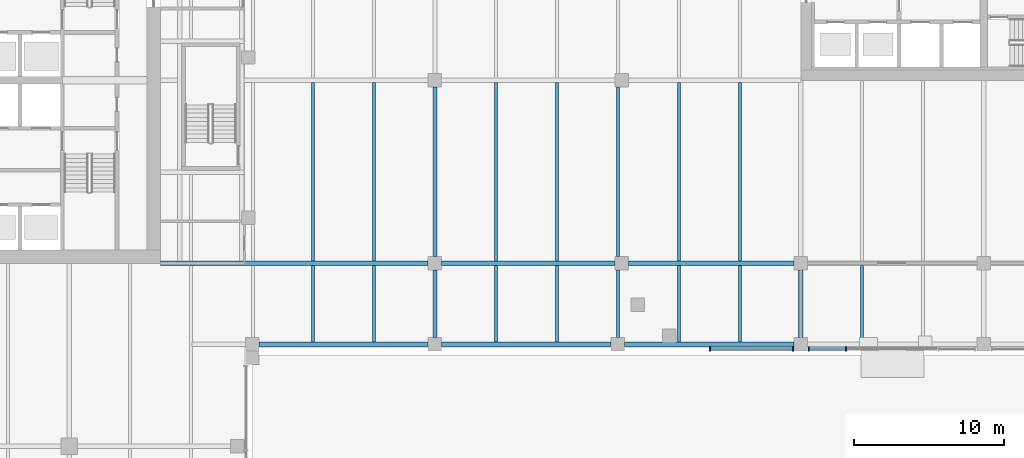
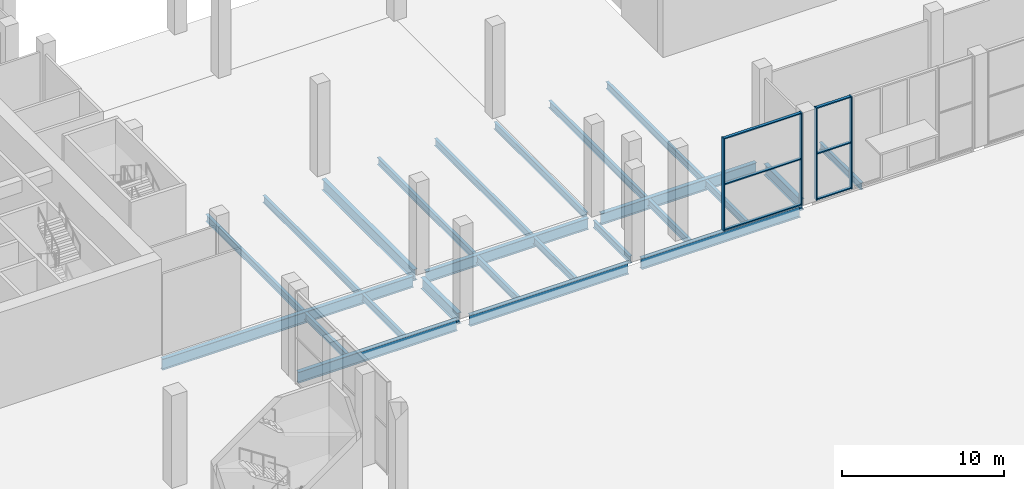
# One storey, part 5 of 36: 24 beams, 10 members, 2 elements without a shape of their own.
"""IFC4 building model written with IfcOpenShell, lengths in metres."""

from ifc_helpers import new_model, si_unit, direction, frame, origin, origin_2d, place, context, subcontext, project, spatial, rectangle, i_section, extrude, material, material_profile, profile_set, type_object, element, aggregate, save


model = new_model("IFC4")

# Units and contexts
model_context = context("Model", 3, precision=1e-05, world=origin(), true_north=direction((0.0, 1.0)))
body_context = subcontext(model_context, "Body", "Model", "MODEL_VIEW")
ifc_project = project(units=[si_unit("LENGTHUNIT", "METRE"), si_unit("AREAUNIT", "SQUARE_METRE"), si_unit("VOLUMEUNIT", "CUBIC_METRE"), si_unit("PLANEANGLEUNIT", "RADIAN"), si_unit("MASSUNIT", "GRAM", prefix="KILO")], contexts=[model_context])

# Site, building, storey
site_placement = place(None, origin())
site = spatial("IfcSite", under=ifc_project, at=site_placement, CompositionType="ELEMENT")
building_placement = place(site_placement, origin())
building = spatial("IfcBuilding", under=site, at=building_placement, Name="Tessera Gate Towers", CompositionType="ELEMENT")
storey_placement = place(building_placement, origin())
storey = spatial("IfcBuildingStorey", under=building, at=storey_placement, Name="L00", CompositionType="ELEMENT", Elevation=0.0)

# Beams
ifc_material_1 = material(Name="Steel 350W", Category="steel")
ifc_material_profile_1 = material_profile(ifc_material_1, i_section(OverallWidth=0.2919921875, OverallDepth=0.8349609375, WebThickness=0.013916015625, FlangeThickness=0.018798828125, at=origin_2d()), Name="W840x176")
ifc_profile_set_1 = profile_set([ifc_material_profile_1], Name="Steel 350W")
beam_type_1 = type_object("IfcBeamType", Name="FLOOR GIRDER W840x176", PredefinedType="BEAM", material=ifc_profile_set_1)
for number, where, z_axis, x_axis, name in (
    (1, (61.449951171875, 19.0, -0.66748046875), (1.0, 0.0, 0.0), (0.0, 1.0, 0.0), "PD-GD-L00-2"),
    (2, (73.64990234375, 19.0, -0.66748046875), (1.0, 0.0, 0.0), (0.0, 1.0, 0.0), "PD-GD-L00-3"),
):
    element("IfcBeam", number, at=place(storey_placement, frame(where, z_axis=z_axis, x_axis=x_axis)), inside=storey, type_object=beam_type_1, Name=name, PredefinedType="BEAM", context=body_context, shape_type="SweptSolid", body=[
        extrude(i_section(OverallWidth=0.2919921875, OverallDepth=0.8349609375, WebThickness=0.013916015625, FlangeThickness=0.018798828125, at=origin_2d()), origin(), (0.0, 0.0, 1.0), 11.300048828125),
    ])
beam_1_placement = place(storey_placement, frame((85.85009765625, 19.0, -0.66748046875), z_axis=(1.0, 0.0, 0.0), x_axis=(0.0, 1.0, 0.0)))
element("IfcBeam", 3, at=beam_1_placement, inside=storey, type_object=beam_type_1, Name="PD-GD-L00-4", PredefinedType="BEAM", context=body_context, shape_type="SweptSolid", body=[
    extrude(i_section(OverallWidth=0.2919921875, OverallDepth=0.8349609375, WebThickness=0.013916015625, FlangeThickness=0.018798828125, at=origin_2d()), origin(), (0.0, 0.0, 1.0), 11.2998046875),
])
beam_2_placement = place(storey_placement, frame((54.90087890625, 24.39990234375, -0.66748046875), z_axis=(1.0, 0.0, 0.0), x_axis=(0.0, 1.0, 0.0)))
element("IfcBeam", 4, at=beam_2_placement, inside=storey, type_object=beam_type_1, Name="PD-GD-L00-17", PredefinedType="BEAM", context=body_context, shape_type="SweptSolid", body=[
    extrude(i_section(OverallWidth=0.2919921875, OverallDepth=0.8349609375, WebThickness=0.013916015625, FlangeThickness=0.018798828125, at=origin_2d()), origin(), (0.0, 0.0, 1.0), 17.84912109375),
])
beam_3_placement = place(storey_placement, frame((73.64990234375, 24.39990234375, -0.66748046875), z_axis=(1.0, 0.0, 0.0), x_axis=(0.0, 1.0, 0.0)))
element("IfcBeam", 5, at=beam_3_placement, inside=storey, type_object=beam_type_1, Name="PD-GD-L00-18", PredefinedType="BEAM", context=body_context, shape_type="SweptSolid", body=[
    extrude(i_section(OverallWidth=0.2919921875, OverallDepth=0.8349609375, WebThickness=0.013916015625, FlangeThickness=0.018798828125, at=origin_2d()), origin(), (0.0, 0.0, 1.0), 11.550048828125),
])
beam_4_placement = place(storey_placement, frame((86.10009765625, 24.39990234375, -0.66748046875), z_axis=(1.0, 0.0, 0.0), x_axis=(0.0, 1.0, 0.0)))
element("IfcBeam", 6, at=beam_4_placement, inside=storey, type_object=beam_type_1, Name="PD-GD-L00-19", PredefinedType="BEAM", context=body_context, shape_type="SweptSolid", body=[
    extrude(i_section(OverallWidth=0.2919921875, OverallDepth=0.8349609375, WebThickness=0.013916015625, FlangeThickness=0.018798828125, at=origin_2d()), origin(), (0.0, 0.0, 1.0), 11.0498046875),
])
beam_5_placement = place(storey_placement, frame((73.199951171875, 19.449951171875, -0.66748046875), z_axis=(0.0, 1.0, 0.0), x_axis=(-1.0, 0.0, 0.0)))
element("IfcBeam", 7, at=beam_5_placement, inside=storey, type_object=beam_type_1, Name="PD-GD-L00-61", PredefinedType="BEAM", context=body_context, shape_type="SweptSolid", body=[
    extrude(i_section(OverallWidth=0.2919921875, OverallDepth=0.8349609375, WebThickness=0.013916015625, FlangeThickness=0.018798828125, at=origin_2d()), origin(), (0.0, 0.0, 1.0), 4.5),
])
beam_6_placement = place(storey_placement, frame((73.199951171875, 24.85009765625, -0.66748046875), z_axis=(0.0, 1.0, 0.0), x_axis=(-1.0, 0.0, 0.0)))
element("IfcBeam", 8, at=beam_6_placement, inside=storey, type_object=beam_type_1, Name="PD-GD-L00-62", PredefinedType="BEAM", context=body_context, shape_type="SweptSolid", body=[
    extrude(i_section(OverallWidth=0.2919921875, OverallDepth=0.8349609375, WebThickness=0.013916015625, FlangeThickness=0.018798828125, at=origin_2d()), origin(), (0.0, 0.0, 1.0), 11.2998046875),
])
beam_7_placement = place(storey_placement, frame((97.60009765625, 19.449951171875, -0.66748046875), z_axis=(0.0, 1.0, 0.0), x_axis=(-1.0, 0.0, 0.0)))
element("IfcBeam", 9, at=beam_7_placement, inside=storey, type_object=beam_type_1, Name="PD-GD-L00-65", PredefinedType="BEAM", context=body_context, shape_type="SweptSolid", body=[
    extrude(i_section(OverallWidth=0.2919921875, OverallDepth=0.8349609375, WebThickness=0.013916015625, FlangeThickness=0.018798828125, at=origin_2d()), origin(), (0.0, 0.0, 1.0), 4.5),
])
ifc_material_2 = material(Name="Steel 350W", Category="steel")
ifc_material_profile_2 = material_profile(ifc_material_2, i_section(OverallWidth=0.208984375, OverallDepth=0.528076171875, WebThickness=0.009521484375, FlangeThickness=0.01318359375, at=origin_2d()), Name="W530x82")
ifc_profile_set_2 = profile_set([ifc_material_profile_2], Name="Steel 350W")
beam_type_2 = type_object("IfcBeamType", Name="FLOOR SECONDARY W530x82", PredefinedType="BEAM", material=ifc_profile_set_2)
beam_8_placement = place(storey_placement, frame((65.066650390625, 19.14599609375, -0.513916015625), z_axis=(0.0, 1.0, 0.0), x_axis=(-1.0, 0.0, 0.0)))
element("IfcBeam", 10, at=beam_8_placement, inside=storey, type_object=beam_type_2, Name="PD-BM-L00-132", PredefinedType="BEAM", context=body_context, shape_type="SweptSolid", body=[
    extrude(i_section(OverallWidth=0.208984375, OverallDepth=0.528076171875, WebThickness=0.009521484375, FlangeThickness=0.01318359375, at=origin_2d()), origin(), (0.0, 0.0, 1.0), 5.10791015625),
])
beam_9_placement = place(storey_placement, frame((65.066650390625, 24.5458984375, -0.513916015625), z_axis=(0.0, 1.0, 0.0), x_axis=(-1.0, 0.0, 0.0)))
element("IfcBeam", 11, at=beam_9_placement, inside=storey, type_object=beam_type_2, Name="PD-BM-L00-133", PredefinedType="BEAM", context=body_context, shape_type="SweptSolid", body=[
    extrude(i_section(OverallWidth=0.208984375, OverallDepth=0.528076171875, WebThickness=0.009521484375, FlangeThickness=0.01318359375, at=origin_2d()), origin(), (0.0, 0.0, 1.0), 11.908203125),
])
beam_10_placement = place(storey_placement, frame((69.13330078125, 19.14599609375, -0.513916015625), z_axis=(0.0, 1.0, 0.0), x_axis=(-1.0, 0.0, 0.0)))
element("IfcBeam", 12, at=beam_10_placement, inside=storey, type_object=beam_type_2, Name="PD-BM-L00-136", PredefinedType="BEAM", context=body_context, shape_type="SweptSolid", body=[
    extrude(i_section(OverallWidth=0.208984375, OverallDepth=0.528076171875, WebThickness=0.009521484375, FlangeThickness=0.01318359375, at=origin_2d()), origin(), (0.0, 0.0, 1.0), 5.10791015625),
])
beam_11_placement = place(storey_placement, frame((69.13330078125, 24.5458984375, -0.513916015625), z_axis=(0.0, 1.0, 0.0), x_axis=(-1.0, 0.0, 0.0)))
element("IfcBeam", 13, at=beam_11_placement, inside=storey, type_object=beam_type_2, Name="PD-BM-L00-137", PredefinedType="BEAM", context=body_context, shape_type="SweptSolid", body=[
    extrude(i_section(OverallWidth=0.208984375, OverallDepth=0.528076171875, WebThickness=0.009521484375, FlangeThickness=0.01318359375, at=origin_2d()), origin(), (0.0, 0.0, 1.0), 11.908203125),
])
beam_12_placement = place(storey_placement, frame((77.2666015625, 19.14599609375, -0.513916015625), z_axis=(0.0, 1.0, 0.0), x_axis=(-1.0, 0.0, 0.0)))
element("IfcBeam", 14, at=beam_12_placement, inside=storey, type_object=beam_type_2, Name="PD-BM-L00-140", PredefinedType="BEAM", context=body_context, shape_type="SweptSolid", body=[
    extrude(i_section(OverallWidth=0.208984375, OverallDepth=0.528076171875, WebThickness=0.009521484375, FlangeThickness=0.01318359375, at=origin_2d()), origin(), (0.0, 0.0, 1.0), 5.10791015625),
])
beam_13_placement = place(storey_placement, frame((77.2666015625, 24.5458984375, -0.513916015625), z_axis=(0.0, 1.0, 0.0), x_axis=(-1.0, 0.0, 0.0)))
element("IfcBeam", 15, at=beam_13_placement, inside=storey, type_object=beam_type_2, Name="PD-BM-L00-141", PredefinedType="BEAM", context=body_context, shape_type="SweptSolid", body=[
    extrude(i_section(OverallWidth=0.208984375, OverallDepth=0.528076171875, WebThickness=0.009521484375, FlangeThickness=0.01318359375, at=origin_2d()), origin(), (0.0, 0.0, 1.0), 11.908203125),
])
beam_14_placement = place(storey_placement, frame((81.333251953125, 19.14599609375, -0.513916015625), z_axis=(0.0, 1.0, 0.0), x_axis=(-1.0, 0.0, 0.0)))
element("IfcBeam", 16, at=beam_14_placement, inside=storey, type_object=beam_type_2, Name="PD-BM-L00-144", PredefinedType="BEAM", context=body_context, shape_type="SweptSolid", body=[
    extrude(i_section(OverallWidth=0.208984375, OverallDepth=0.528076171875, WebThickness=0.009521484375, FlangeThickness=0.01318359375, at=origin_2d()), origin(), (0.0, 0.0, 1.0), 5.10791015625),
])
beam_15_placement = place(storey_placement, frame((81.333251953125, 24.5458984375, -0.513916015625), z_axis=(0.0, 1.0, 0.0), x_axis=(-1.0, 0.0, 0.0)))
element("IfcBeam", 17, at=beam_15_placement, inside=storey, type_object=beam_type_2, Name="PD-BM-L00-145", PredefinedType="BEAM", context=body_context, shape_type="SweptSolid", body=[
    extrude(i_section(OverallWidth=0.208984375, OverallDepth=0.528076171875, WebThickness=0.009521484375, FlangeThickness=0.01318359375, at=origin_2d()), origin(), (0.0, 0.0, 1.0), 11.908203125),
])
beam_16_placement = place(storey_placement, frame((85.39990234375, 19.449951171875, -0.513916015625), z_axis=(0.0, 1.0, 0.0), x_axis=(-1.0, 0.0, 0.0)))
element("IfcBeam", 18, at=beam_16_placement, inside=storey, type_object=beam_type_2, Name="PD-BM-L00-148", PredefinedType="BEAM", context=body_context, shape_type="SweptSolid", body=[
    extrude(i_section(OverallWidth=0.208984375, OverallDepth=0.528076171875, WebThickness=0.009521484375, FlangeThickness=0.01318359375, at=origin_2d()), origin(), (0.0, 0.0, 1.0), 4.5),
])
beam_17_placement = place(storey_placement, frame((85.39990234375, 24.85009765625, -0.513916015625), z_axis=(0.0, 1.0, 0.0), x_axis=(-1.0, 0.0, 0.0)))
element("IfcBeam", 19, at=beam_17_placement, inside=storey, type_object=beam_type_2, Name="PD-BM-L00-149", PredefinedType="BEAM", context=body_context, shape_type="SweptSolid", body=[
    extrude(i_section(OverallWidth=0.208984375, OverallDepth=0.528076171875, WebThickness=0.009521484375, FlangeThickness=0.01318359375, at=origin_2d()), origin(), (0.0, 0.0, 1.0), 11.2998046875),
])
beam_18_placement = place(storey_placement, frame((89.466796875, 19.14599609375, -0.513916015625), z_axis=(0.0, 1.0, 0.0), x_axis=(-1.0, 0.0, 0.0)))
element("IfcBeam", 20, at=beam_18_placement, inside=storey, type_object=beam_type_2, Name="PD-BM-L00-152", PredefinedType="BEAM", context=body_context, shape_type="SweptSolid", body=[
    extrude(i_section(OverallWidth=0.208984375, OverallDepth=0.528076171875, WebThickness=0.009521484375, FlangeThickness=0.01318359375, at=origin_2d()), origin(), (0.0, 0.0, 1.0), 5.10791015625),
])
beam_19_placement = place(storey_placement, frame((89.466796875, 24.5458984375, -0.513916015625), z_axis=(0.0, 1.0, 0.0), x_axis=(-1.0, 0.0, 0.0)))
element("IfcBeam", 21, at=beam_19_placement, inside=storey, type_object=beam_type_2, Name="PD-BM-L00-153", PredefinedType="BEAM", context=body_context, shape_type="SweptSolid", body=[
    extrude(i_section(OverallWidth=0.208984375, OverallDepth=0.528076171875, WebThickness=0.009521484375, FlangeThickness=0.01318359375, at=origin_2d()), origin(), (0.0, 0.0, 1.0), 11.908203125),
])
beam_20_placement = place(storey_placement, frame((93.533203125, 19.14599609375, -0.513916015625), z_axis=(0.0, 1.0, 0.0), x_axis=(-1.0, 0.0, 0.0)))
element("IfcBeam", 22, at=beam_20_placement, inside=storey, type_object=beam_type_2, Name="PD-BM-L00-156", PredefinedType="BEAM", context=body_context, shape_type="SweptSolid", body=[
    extrude(i_section(OverallWidth=0.208984375, OverallDepth=0.528076171875, WebThickness=0.009521484375, FlangeThickness=0.01318359375, at=origin_2d()), origin(), (0.0, 0.0, 1.0), 5.10791015625),
])
beam_21_placement = place(storey_placement, frame((93.533203125, 24.5458984375, -0.513916015625), z_axis=(0.0, 1.0, 0.0), x_axis=(-1.0, 0.0, 0.0)))
element("IfcBeam", 23, at=beam_21_placement, inside=storey, type_object=beam_type_2, Name="PD-BM-L00-157", PredefinedType="BEAM", context=body_context, shape_type="SweptSolid", body=[
    extrude(i_section(OverallWidth=0.208984375, OverallDepth=0.528076171875, WebThickness=0.009521484375, FlangeThickness=0.01318359375, at=origin_2d()), origin(), (0.0, 0.0, 1.0), 11.908203125),
])
beam_22_placement = place(storey_placement, frame((101.666748046875, 19.14599609375, -0.513916015625), z_axis=(0.0, 1.0, 0.0), x_axis=(-1.0, 0.0, 0.0)))
element("IfcBeam", 24, at=beam_22_placement, inside=storey, type_object=beam_type_2, Name="PD-BM-L00-161", PredefinedType="BEAM", context=body_context, shape_type="SweptSolid", body=[
    extrude(i_section(OverallWidth=0.208984375, OverallDepth=0.528076171875, WebThickness=0.009521484375, FlangeThickness=0.01318359375, at=origin_2d()), origin(), (0.0, 0.0, 1.0), 5.10791015625),
])

# Curtain wall, members
ifc_material_3 = material(Name="Aluminium frame", Category="aluminium")
curtain_wall_type = type_object("IfcCurtainWallType", Name="CW-S6 ground floor glazing", PredefinedType="NOTDEFINED", material=ifc_material_3)
curtain_wall_1_placement = place(storey_placement, origin())
curtain_wall_1 = element("IfcCurtainWall", 25, at=curtain_wall_1_placement, inside=storey, type_object=curtain_wall_type, Name="Curtain wall ground floor glazing 0156", PredefinedType="NOTDEFINED")
ifc_material_4 = material(Name="Aluminium frame", Category="aluminium")
ifc_material_profile_3 = material_profile(ifc_material_4, rectangle(XDim=0.080078125, YDim=0.300048828125, at=origin_2d()), Name="AL 80x300")
ifc_profile_set_3 = profile_set([ifc_material_profile_3], Name="Aluminium frame")
member_type_1 = type_object("IfcMemberType", Name="MU-S6 mullion 80x300", PredefinedType="MULLION", material=ifc_profile_set_3)
member_1_placement = place(storey_placement, frame((91.5400390625, 18.699951171875, 0.0), z_axis=(0.0, 0.0, 1.0), x_axis=(1.0, 0.0, 0.0)))
member_1 = element("IfcMember", 26, at=member_1_placement, type_object=member_type_1, Name="PD-CW6-0156 mullion 1", PredefinedType="MULLION", context=body_context, shape_type="SweptSolid", body=[
    extrude(rectangle(XDim=0.080078125, YDim=0.300048828125, at=origin_2d()), origin(), (0.0, 0.0, 1.0), 6.949951171875),
])
member_2_placement = place(storey_placement, frame((97.070068359375, 18.699951171875, 0.0), z_axis=(0.0, 0.0, 1.0), x_axis=(1.0, 0.0, 0.0)))
member_2 = element("IfcMember", 27, at=member_2_placement, type_object=member_type_1, Name="PD-CW6-0156 mullion 2", PredefinedType="MULLION", context=body_context, shape_type="SweptSolid", body=[
    extrude(rectangle(XDim=0.080078125, YDim=0.300048828125, at=origin_2d()), origin(), (0.0, 0.0, 1.0), 6.949951171875),
])

curtain_wall_2_placement = place(storey_placement, origin())
curtain_wall_2 = element("IfcCurtainWall", 28, at=curtain_wall_2_placement, inside=storey, type_object=curtain_wall_type, Name="Curtain wall ground floor glazing 0157", PredefinedType="NOTDEFINED")
member_3_placement = place(storey_placement, frame((98.1298828125, 18.699951171875, 0.0), z_axis=(0.0, 0.0, 1.0), x_axis=(1.0, 0.0, 0.0)))
member_3 = element("IfcMember", 29, at=member_3_placement, type_object=member_type_1, Name="PD-CW6-0157 mullion 1", PredefinedType="MULLION", context=body_context, shape_type="SweptSolid", body=[
    extrude(rectangle(XDim=0.080078125, YDim=0.300048828125, at=origin_2d()), origin(), (0.0, 0.0, 1.0), 6.949951171875),
])
member_4_placement = place(storey_placement, frame((100.610107421875, 18.699951171875, 0.0), z_axis=(0.0, 0.0, 1.0), x_axis=(1.0, 0.0, 0.0)))
member_4 = element("IfcMember", 30, at=member_4_placement, type_object=member_type_1, Name="PD-CW6-0157 mullion 2", PredefinedType="MULLION", context=body_context, shape_type="SweptSolid", body=[
    extrude(rectangle(XDim=0.080078125, YDim=0.300048828125, at=origin_2d()), origin(), (0.0, 0.0, 1.0), 6.949951171875),
])

# Member
ifc_material_5 = material(Name="Aluminium frame", Category="aluminium")
ifc_material_profile_4 = material_profile(ifc_material_5, rectangle(XDim=0.199951171875, YDim=0.080078125, at=origin_2d()), Name="AL 80x200")
ifc_profile_set_4 = profile_set([ifc_material_profile_4], Name="Aluminium frame")
member_type_2 = type_object("IfcMemberType", Name="TR-S6 transom 80x200", PredefinedType="USERDEFINED", material=ifc_profile_set_4)
member_5_placement = place(storey_placement, frame((91.580078125, 18.699951171875, 0.0400390625), z_axis=(1.0, 0.0, 0.0), x_axis=(0.0, 1.0, 0.0)))
member_5 = element("IfcMember", 31, at=member_5_placement, type_object=member_type_2, Name="PD-CW6-0156 transom 1.1", ObjectType="TRANSOM", PredefinedType="USERDEFINED", context=body_context, shape_type="SweptSolid", body=[
    extrude(rectangle(XDim=0.199951171875, YDim=0.080078125, at=origin_2d()), origin(), (0.0, 0.0, 1.0), 5.449951171875),
])

member_6_placement = place(storey_placement, frame((91.580078125, 18.699951171875, 3.47509765625), z_axis=(1.0, 0.0, 0.0), x_axis=(0.0, 1.0, 0.0)))
member_6 = element("IfcMember", 32, at=member_6_placement, type_object=member_type_2, Name="PD-CW6-0156 transom 1.2", ObjectType="TRANSOM", PredefinedType="USERDEFINED", context=body_context, shape_type="SweptSolid", body=[
    extrude(rectangle(XDim=0.199951171875, YDim=0.080078125, at=origin_2d()), origin(), (0.0, 0.0, 1.0), 5.449951171875),
])

member_7_placement = place(storey_placement, frame((91.580078125, 18.699951171875, 6.909912109375), z_axis=(1.0, 0.0, 0.0), x_axis=(0.0, 1.0, 0.0)))
member_7 = element("IfcMember", 33, at=member_7_placement, type_object=member_type_2, Name="PD-CW6-0156 transom 1.3", ObjectType="TRANSOM", PredefinedType="USERDEFINED", context=body_context, shape_type="SweptSolid", body=[
    extrude(rectangle(XDim=0.199951171875, YDim=0.080078125, at=origin_2d()), origin(), (0.0, 0.0, 1.0), 5.449951171875),
])

aggregate(curtain_wall_1, [member_1, member_2, member_5, member_6, member_7])

member_8_placement = place(storey_placement, frame((98.169921875, 18.699951171875, 0.0400390625), z_axis=(1.0, 0.0, 0.0), x_axis=(0.0, 1.0, 0.0)))
member_8 = element("IfcMember", 34, at=member_8_placement, type_object=member_type_2, Name="PD-CW6-0157 transom 1.1", ObjectType="TRANSOM", PredefinedType="USERDEFINED", context=body_context, shape_type="SweptSolid", body=[
    extrude(rectangle(XDim=0.199951171875, YDim=0.080078125, at=origin_2d()), origin(), (0.0, 0.0, 1.0), 2.400146484375),
])

member_9_placement = place(storey_placement, frame((98.169921875, 18.699951171875, 3.47509765625), z_axis=(1.0, 0.0, 0.0), x_axis=(0.0, 1.0, 0.0)))
member_9 = element("IfcMember", 35, at=member_9_placement, type_object=member_type_2, Name="PD-CW6-0157 transom 1.2", ObjectType="TRANSOM", PredefinedType="USERDEFINED", context=body_context, shape_type="SweptSolid", body=[
    extrude(rectangle(XDim=0.199951171875, YDim=0.080078125, at=origin_2d()), origin(), (0.0, 0.0, 1.0), 2.400146484375),
])

member_10_placement = place(storey_placement, frame((98.169921875, 18.699951171875, 6.909912109375), z_axis=(1.0, 0.0, 0.0), x_axis=(0.0, 1.0, 0.0)))
member_10 = element("IfcMember", 36, at=member_10_placement, type_object=member_type_2, Name="PD-CW6-0157 transom 1.3", ObjectType="TRANSOM", PredefinedType="USERDEFINED", context=body_context, shape_type="SweptSolid", body=[
    extrude(rectangle(XDim=0.199951171875, YDim=0.080078125, at=origin_2d()), origin(), (0.0, 0.0, 1.0), 2.400146484375),
])

aggregate(curtain_wall_2, [member_3, member_4, member_8, member_9, member_10])

save(model, "model.ifc")
